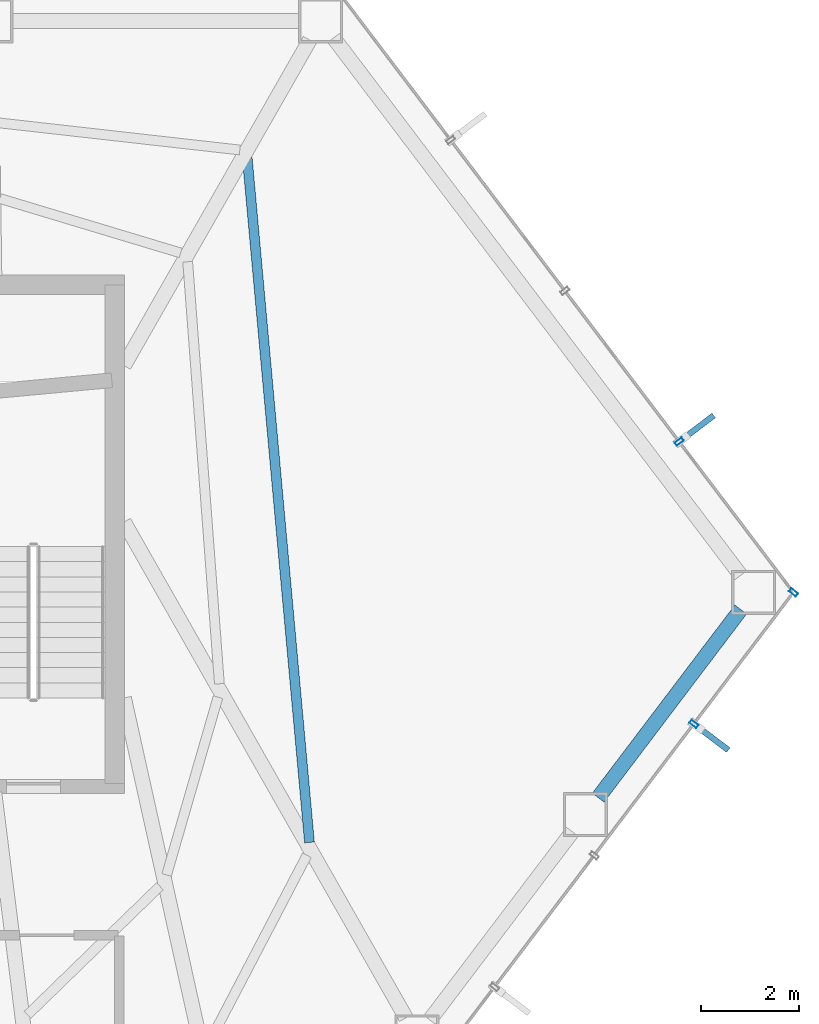
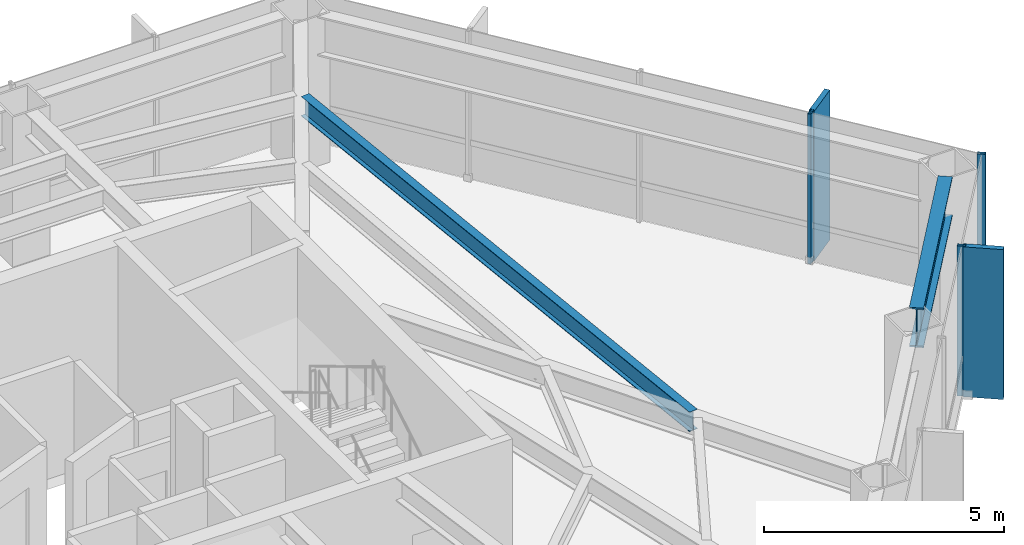
# One storey, part 17 of 24: 5 members, 2 beams, 2 elements without a shape of their own.
"""IFC4 building model written with IfcOpenShell, lengths in metres."""

import ifcopenshell
import ifcopenshell.guid

model = None  # the IFC model being written
_history = None  # IfcOwnerHistory: only IFC2X3 demands one
_inside = {}  # id of a spatial element -> (the spatial element, [elements in it])
_under = {}  # id of a project, library or spatial element -> (it, [spatial elements below it])
_declared = {}  # id of a project -> (the project, [libraries it declares])
_typed = {}  # id of a type object -> (the type object, [elements of that type])
_made_of = {}  # id of a material, layer set ... -> (it, [elements and type objects made of it])


def new_model(schema):
    """Start an empty IFC model of exactly this schema.

    Asked for "IFC4X3", IfcOpenShell would pick the latest addendum, in which some entities
    have other attributes; the version numbers below select the first issue.
    IFC2X3 requires an IfcOwnerHistory on every rooted entity: one is made here for all.
    """
    global model, _history
    if schema == "IFC4X3":
        model = ifcopenshell.file(schema_version=(4, 3, 0, 0))
    else:
        model = ifcopenshell.file(schema=schema)
    _inside.clear()
    _under.clear()
    _declared.clear()
    _typed.clear()
    _made_of.clear()
    _history = None
    if model.schema == "IFC2X3":
        org = make("IfcOrganization", Name="unknown")
        user = make(
            "IfcPersonAndOrganization",
            ThePerson=make("IfcPerson", FamilyName="unknown"),
            TheOrganization=org,
        )
        app = make(
            "IfcApplication",
            ApplicationDeveloper=org,
            Version="unknown",
            ApplicationFullName="unknown",
            ApplicationIdentifier="unknown",
        )
        _history = make(
            "IfcOwnerHistory",
            OwningUser=user,
            OwningApplication=app,
            ChangeAction="ADDED",
            CreationDate=0,
        )
    return model


def make(cls, **values):
    """One entity of the class cls with the attributes given. An attribute that is None is left unset."""
    return model.create_entity(
        cls, **{name: value for name, value in values.items() if value is not None}
    )


def rooted(cls, **values):
    """An entity with a GlobalId (a new one), such as an element, a storey or a relation."""
    return make(cls, GlobalId=ifcopenshell.guid.new(), OwnerHistory=_history, **values)


def si_unit(unit_type, name, prefix=None):
    """IfcSIUnit, for example si_unit("LENGTHUNIT", "METRE", prefix="MILLI")."""
    return make("IfcSIUnit", UnitType=unit_type, Prefix=prefix, Name=name)


def assignment(units):
    """IfcUnitAssignment: the units of a project."""
    return None if units is None else make("IfcUnitAssignment", Units=units)


def point(xyz):
    """IfcCartesianPoint."""
    return None if xyz is None else make("IfcCartesianPoint", Coordinates=xyz)


def direction(xyz):
    """IfcDirection."""
    return None if xyz is None else make("IfcDirection", DirectionRatios=xyz)


def frame(location, z_axis=None, x_axis=None):
    """IfcAxis2Placement3D, a coordinate frame: its origin and axes. An axis left out is left unset."""
    return make(
        "IfcAxis2Placement3D",
        Location=point(location),
        Axis=direction(z_axis),
        RefDirection=direction(x_axis),
    )


def frame_2d(location, x_axis=None):
    """IfcAxis2Placement2D, a coordinate frame in the plane: its origin and x axis."""
    return make(
        "IfcAxis2Placement2D", Location=point(location), RefDirection=direction(x_axis)
    )


def origin():
    """The frame at (0, 0, 0) with its axes left unset."""
    return frame((0.0, 0.0, 0.0))


def origin_2d():
    """The frame at (0, 0) in the plane with its x axis left unset."""
    return frame_2d((0.0, 0.0))


def place(relative_to, where):
    """IfcLocalPlacement: puts the frame where relative to a parent placement (None: the world)."""
    return make(
        "IfcLocalPlacement", PlacementRelTo=relative_to, RelativePlacement=where
    )


def context(
    kind, dimensions, precision=None, world=None, true_north=None, identifier=None
):
    """IfcGeometricRepresentationContext, for example the 3D "Model" context."""
    return make(
        "IfcGeometricRepresentationContext",
        ContextIdentifier=identifier,
        ContextType=kind,
        CoordinateSpaceDimension=dimensions,
        Precision=precision,
        WorldCoordinateSystem=world,
        TrueNorth=true_north,
    )


def subcontext(parent, identifier, kind, view, scale=None):
    """IfcGeometricRepresentationSubContext, for example "Body" below "Model"."""
    return make(
        "IfcGeometricRepresentationSubContext",
        ContextIdentifier=identifier,
        ContextType=kind,
        ParentContext=parent,
        TargetScale=scale,
        TargetView=view,
    )


def project(units=None, contexts=None):
    """IfcProject with its units and contexts."""
    return rooted(
        "IfcProject",
        Name="project",
        RepresentationContexts=contexts,
        UnitsInContext=assignment(units),
    )


def spatial(cls, under=None, at=None, **own):
    """A site, building, storey or space (cls), placed at a placement, below another one or the project."""
    s = rooted(cls, ObjectPlacement=at, **own)
    if under is not None:
        _under.setdefault(under.id(), (under, []))[1].append(s)
    return s


def profile(cls, at=None, kind="AREA", **sizes):
    """A parametric profile (cls). Its sizes go by their IFC names, for example OverallWidth=200.0."""
    return make(cls, ProfileType=kind, Position=at, **sizes)


def rectangle(**sizes):
    """IfcRectangleProfileDef."""
    return profile("IfcRectangleProfileDef", **sizes)


def hollow_rectangle(**sizes):
    """IfcRectangleHollowProfileDef."""
    return profile("IfcRectangleHollowProfileDef", **sizes)


def i_section(**sizes):
    """IfcIShapeProfileDef."""
    return profile("IfcIShapeProfileDef", **sizes)


def extrude(swept, where, along, depth):
    """IfcExtrudedAreaSolid: the profile swept, set in the frame where, extruded along a direction by depth."""
    return make(
        "IfcExtrudedAreaSolid",
        SweptArea=swept,
        Position=where,
        ExtrudedDirection=direction(along),
        Depth=depth,
    )


def shape(context_of_items, identifier, shape_type, items):
    """IfcShapeRepresentation: the items that make up one representation, for example the "Body"."""
    return make(
        "IfcShapeRepresentation",
        ContextOfItems=context_of_items,
        RepresentationIdentifier=identifier,
        RepresentationType=shape_type,
        Items=items,
    )


def material(Name=None, Category=None):
    """IfcMaterial."""
    return make("IfcMaterial", Name=Name, Category=Category)


def layer(
    of_material, thickness, ventilated=None, Name=None, Category=None, Priority=None
):
    """IfcMaterialLayer: one layer of a wall or slab, of a material (None: an air gap)."""
    return make(
        "IfcMaterialLayer",
        Material=of_material,
        LayerThickness=thickness,
        IsVentilated=ventilated,
        Name=Name,
        Category=Category,
        Priority=Priority,
    )


def layer_set(layers, Name=None):
    """IfcMaterialLayerSet."""
    return make("IfcMaterialLayerSet", MaterialLayers=layers, LayerSetName=Name)


def material_profile(
    of_material, cross_section, Name=None, Category=None, Priority=None
):
    """IfcMaterialProfile: a cross section and its material."""
    return make(
        "IfcMaterialProfile",
        Name=Name,
        Material=of_material,
        Profile=cross_section,
        Priority=Priority,
        Category=Category,
    )


def profile_set(profiles, Name=None, composite=None):
    """IfcMaterialProfileSet."""
    return make(
        "IfcMaterialProfileSet",
        Name=Name,
        MaterialProfiles=profiles,
        CompositeProfile=composite,
    )


def made_of(thing, what):
    """Note that an element or type object is made of a material, layer set ...; save() writes the relation."""
    if what is not None:
        _made_of.setdefault(what.id(), (what, []))[1].append(thing)
    return thing


def type_object(cls, material=None, **own):
    """A type object (cls), such as IfcWallType, which elements share."""
    return made_of(rooted(cls, **own), material)


def element(
    cls,
    number,
    at=None,
    inside=None,
    cuts=None,
    type_object=None,
    material=None,
    context=None,
    identifier="Body",
    shape_type=None,
    held_by="IfcProductDefinitionShape",
    body=None,
    shapes=None,
    **own,
):
    """One element of the class cls, such as IfcWall. Its Tag is "e" and its number.

    at: its placement. inside: the storey or other place that contains it. cuts: it is an
    opening in that element (IfcRelVoidsElement). A single representation is given by context,
    identifier, shape_type and body (its items); several are given by shapes. held_by: the class
    of the entity that holds the representations. save() writes the other relations.
    """
    e = rooted(cls, Tag="e%d" % number, ObjectPlacement=at, **own)
    if body is not None:
        shapes = [shape(context, identifier, shape_type, body)]
    if shapes is not None:
        e.Representation = make(held_by, Representations=shapes)
    if inside is not None:
        _inside.setdefault(inside.id(), (inside, []))[1].append(e)
    if cuts is not None:
        rooted(
            "IfcRelVoidsElement", RelatingBuildingElement=cuts, RelatedOpeningElement=e
        )
    if type_object is not None:
        _typed.setdefault(type_object.id(), (type_object, []))[1].append(e)
    return made_of(e, material)


def aggregate(whole, parts):
    """IfcRelAggregates: a whole, such as a stair, and the parts it consists of."""
    return rooted("IfcRelAggregates", RelatingObject=whole, RelatedObjects=parts)


def save(model, path):
    """Write the relations noted so far, then the file.

    IfcRelAggregates (storeys below a building ...), IfcRelContainedInSpatialStructure (elements
    in a storey), IfcRelDefinesByType, IfcRelAssociatesMaterial and IfcRelDeclares: one each for
    every whole, place, type object, material and project.
    """
    for whole, parts in _under.values():
        aggregate(whole, parts)
    for where, things in _inside.values():
        rooted(
            "IfcRelContainedInSpatialStructure",
            RelatedElements=things,
            RelatingStructure=where,
        )
    for kind, things in _typed.values():
        rooted("IfcRelDefinesByType", RelatedObjects=things, RelatingType=kind)
    for what, things in _made_of.values():
        rooted("IfcRelAssociatesMaterial", RelatedObjects=things, RelatingMaterial=what)
    for by, libraries in _declared.values():
        rooted("IfcRelDeclares", RelatingContext=by, RelatedDefinitions=libraries)
    model.write(path)


model = new_model("IFC4")

# Units and contexts
model_context = context("Model", 3, precision=1e-05, world=origin(), true_north=direction((0.0, 1.0)))
body_context = subcontext(model_context, "Body", "Model", "MODEL_VIEW")
ifc_project = project(units=[si_unit("LENGTHUNIT", "METRE"), si_unit("AREAUNIT", "SQUARE_METRE"), si_unit("VOLUMEUNIT", "CUBIC_METRE"), si_unit("PLANEANGLEUNIT", "RADIAN"), si_unit("MASSUNIT", "GRAM", prefix="KILO")], contexts=[model_context])

# Site, building, storey
site_placement = place(None, origin())
site = spatial("IfcSite", under=ifc_project, at=site_placement, CompositionType="ELEMENT")
building_placement = place(site_placement, origin())
building = spatial("IfcBuilding", under=site, at=building_placement, Name="Zarrinselat Tower", CompositionType="ELEMENT")
storey_placement = place(building_placement, frame((0.0, 0.0, 100.97998046875)))
storey = spatial("IfcBuildingStorey", under=building, at=storey_placement, Name="L24", CompositionType="ELEMENT", Elevation=100.97998046875)

# Beams
ifc_material_1 = material(Name="Steel S460M", Category="steel")
ifc_material_profile_1 = material_profile(ifc_material_1, i_section(OverallWidth=0.302001953125, OverallDepth=1.008056640625, WebThickness=0.02099609375, FlangeThickness=0.0400390625, at=origin_2d()), Name="HEM 1000")
ifc_profile_set_1 = profile_set([ifc_material_profile_1], Name="Steel S460M")
beam_type_1 = type_object("IfcBeamType", Name="BM-HEM1000", PredefinedType="BEAM", material=ifc_profile_set_1)
beam_1_placement = place(storey_placement, frame((58.147705078125, 32.96337890625, 3.31591796875), z_axis=(0.603852819431, 0.797095836437, 0.0), x_axis=(-0.797095836437, 0.603852819431, 0.0)))
element("IfcBeam", 1, at=beam_1_placement, inside=storey, type_object=beam_type_1, Name="L24 Perimeter Spandrel Girder SP14", PredefinedType="BEAM", context=body_context, shape_type="SweptSolid", body=[
    extrude(i_section(OverallWidth=0.302001953125, OverallDepth=1.008056640625, WebThickness=0.02099609375, FlangeThickness=0.0400390625, at=origin_2d()), origin(), (0.0, 0.0, 1.0), 4.827392578125),
])
ifc_material_2 = material(Name="Steel S355J2", Category="steel")
ifc_material_profile_2 = material_profile(ifc_material_2, i_section(OverallWidth=0.199951171875, OverallDepth=0.5, WebThickness=0.01025390625, FlangeThickness=0.01611328125, at=origin_2d()), Name="IPE 500")
ifc_profile_set_2 = profile_set([ifc_material_profile_2], Name="Steel S355J2")
beam_type_2 = type_object("IfcBeamType", Name="BM-IPE500", PredefinedType="JOIST", material=ifc_profile_set_2)
beam_2_placement = place(storey_placement, frame((50.968994140625, 46.054443359375, 3.570068359375), z_axis=(0.090559222659, -0.995891071951, 0.0), x_axis=(0.995891071951, 0.090559222659, 0.0)))
element("IfcBeam", 2, at=beam_2_placement, inside=storey, type_object=beam_type_2, Name="L24 Composite Floor Joist 5-1", PredefinedType="JOIST", context=body_context, shape_type="SweptSolid", body=[
    extrude(i_section(OverallWidth=0.199951171875, OverallDepth=0.5, WebThickness=0.01025390625, FlangeThickness=0.01611328125, at=origin_2d()), origin(), (0.0, 0.0, 1.0), 14.064697265625),
])

# Curtain wall, members
ifc_material_3 = material(Name="Extruded Aluminium Alloy EN AW-6063 T6", Category="aluminium")
ifc_layer = layer(ifc_material_3, 0.18505859375)
ifc_layer_set = layer_set([ifc_layer], Name="Extruded Aluminium Alloy EN AW-6063 T6")
curtain_wall_type = type_object("IfcCurtainWallType", Name="CWS-OFF", PredefinedType="NOTDEFINED", material=ifc_layer_set)
curtain_wall_1_placement = place(storey_placement, origin())
curtain_wall_1 = element("IfcCurtainWall", 3, at=curtain_wall_1_placement, inside=storey, type_object=curtain_wall_type, Name="L24 Unitised Curtain Wall CW-L24-E05", PredefinedType="NOTDEFINED")
ifc_material_4 = material(Name="Extruded Aluminium Alloy EN AW-6063 T6", Category="aluminium")
ifc_material_profile_3 = material_profile(ifc_material_4, hollow_rectangle(XDim=0.080078125, YDim=0.179931640625, WallThickness=0.0048828125, at=origin_2d()), Name="RHS 180x80x5")
ifc_profile_set_3 = profile_set([ifc_material_profile_3], Name="Extruded Aluminium Alloy EN AW-6063 T6")
member_type_1 = type_object("IfcMemberType", Name="MEM-CW-MUL", PredefinedType="MULLION", material=ifc_profile_set_3)
member_1_placement = place(storey_placement, frame((60.104248046875, 34.4697265625, 0.0), z_axis=(0.0, 0.0, 1.0), x_axis=(0.603858013909, 0.79709190125, 0.0)))
member_1 = element("IfcMember", 4, at=member_1_placement, type_object=member_type_1, Name="CW-L24-E05 Mullion 7", PredefinedType="MULLION", context=body_context, shape_type="SweptSolid", body=[
    extrude(hollow_rectangle(XDim=0.080078125, YDim=0.179931640625, WallThickness=0.0048828125, at=origin_2d()), origin(), (0.0, 0.0, 1.0), 3.820068359375),
])
member_2_placement = place(storey_placement, frame((62.142578125, 37.160400390625, 0.0), z_axis=(0.0, 0.0, 1.0), x_axis=(0.603858013909, 0.79709190125, 0.0)))
member_2 = element("IfcMember", 5, at=member_2_placement, type_object=member_type_1, Name="CW-L24-E05 Mullion 8", PredefinedType="MULLION", context=body_context, shape_type="SweptSolid", body=[
    extrude(hollow_rectangle(XDim=0.080078125, YDim=0.179931640625, WallThickness=0.0048828125, at=origin_2d()), origin(), (0.0, 0.0, 1.0), 3.820068359375),
])

# Curtain wall, member
curtain_wall_2_placement = place(storey_placement, origin())
curtain_wall_2 = element("IfcCurtainWall", 6, at=curtain_wall_2_placement, inside=storey, type_object=curtain_wall_type, Name="L24 Unitised Curtain Wall CW-L24-E06", PredefinedType="NOTDEFINED")
member_3_placement = place(storey_placement, frame((59.8056640625, 40.245361328125, 0.0), z_axis=(0.0, 0.0, 1.0), x_axis=(-0.6038584342, 0.797091582847, 0.0)))
member_3 = element("IfcMember", 7, at=member_3_placement, type_object=member_type_1, Name="CW-L24-E06 Mullion 1", PredefinedType="MULLION", context=body_context, shape_type="SweptSolid", body=[
    extrude(hollow_rectangle(XDim=0.080078125, YDim=0.179931640625, WallThickness=0.0048828125, at=origin_2d()), origin(), (0.0, 0.0, 1.0), 3.820068359375),
])

# Member
ifc_material_5 = material(Name="Honed Cream Travertine Stone", Category="masonry")
ifc_material_profile_4 = material_profile(ifc_material_5, rectangle(XDim=0.1201171875, YDim=0.85009765625, at=origin_2d()), Name="FIN 850x120")
ifc_profile_set_4 = profile_set([ifc_material_profile_4], Name="Honed Cream Travertine Stone")
member_type_2 = type_object("IfcMemberType", Name="MEM-STONE-FIN", PredefinedType="USERDEFINED", material=ifc_profile_set_4)
member_4_placement = place(storey_placement, frame((60.470947265625, 34.19189453125, 0.0), z_axis=(0.0, 0.0, 1.0), x_axis=(-0.603858013909, -0.79709190125, 0.0)))
member_4 = element("IfcMember", 8, at=member_4_placement, type_object=member_type_2, Name="L24 Stone Shading Fin CW-L24-E05-07", ObjectType="FIN", PredefinedType="USERDEFINED", context=body_context, shape_type="SweptSolid", body=[
    extrude(rectangle(XDim=0.1201171875, YDim=0.85009765625, at=origin_2d()), origin(), (0.0, 0.0, 1.0), 3.820068359375),
])

aggregate(curtain_wall_1, [member_1, member_4, member_2])

member_5_placement = place(storey_placement, frame((60.17236328125, 40.523193359375, 0.0), z_axis=(0.0, 0.0, 1.0), x_axis=(0.6038584342, -0.797091582847, 0.0)))
member_5 = element("IfcMember", 9, at=member_5_placement, type_object=member_type_2, Name="L24 Stone Shading Fin CW-L24-E06-01", ObjectType="FIN", PredefinedType="USERDEFINED", context=body_context, shape_type="SweptSolid", body=[
    extrude(rectangle(XDim=0.1201171875, YDim=0.85009765625, at=origin_2d()), origin(), (0.0, 0.0, 1.0), 3.820068359375),
])

aggregate(curtain_wall_2, [member_3, member_5])

save(model, "model.ifc")
